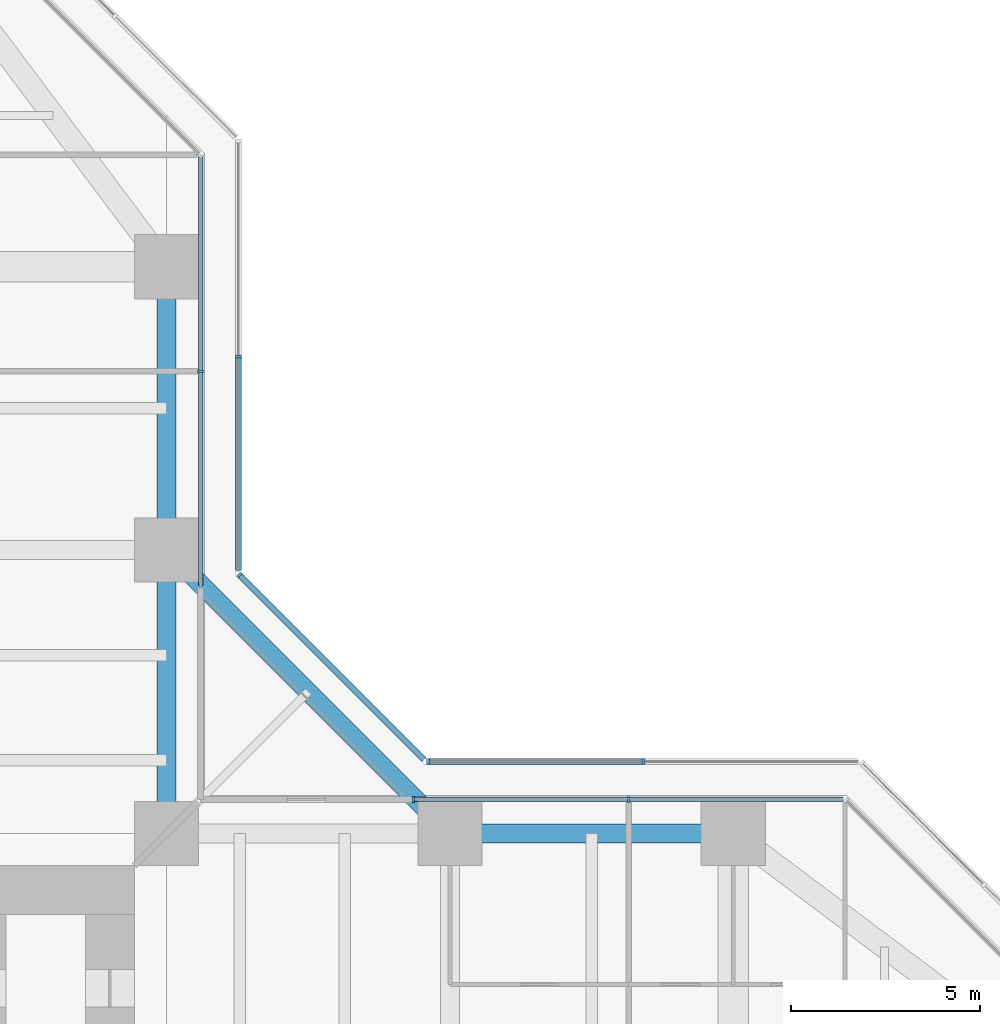
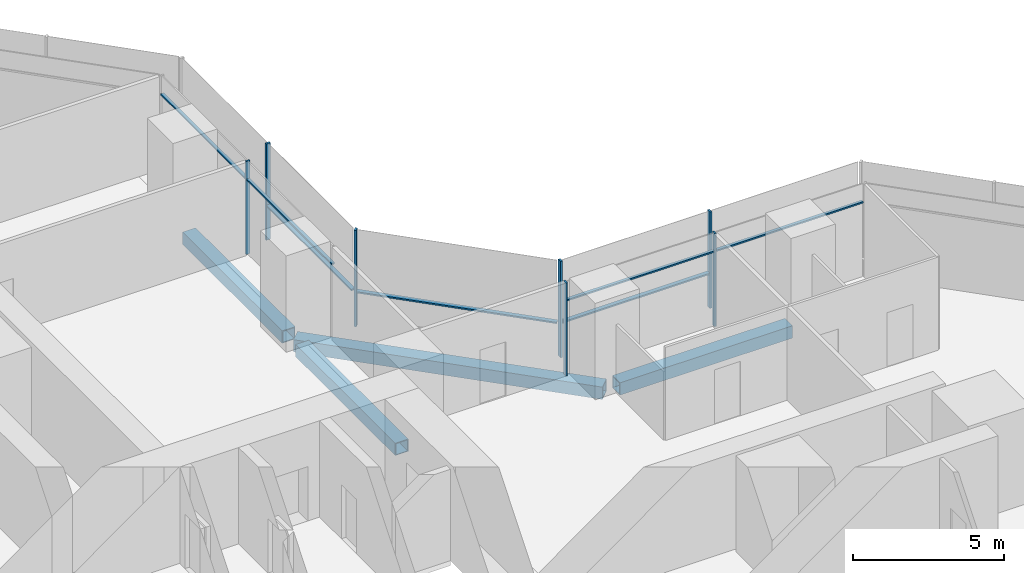
# One storey, part 11 of 22: 14 members, 4 beams, 5 elements without a shape of their own.
"""IFC4 building model written with IfcOpenShell, lengths in metres."""

import ifcopenshell
import ifcopenshell.guid

model = None  # the IFC model being written
_history = None  # IfcOwnerHistory: only IFC2X3 demands one
_inside = {}  # id of a spatial element -> (the spatial element, [elements in it])
_under = {}  # id of a project, library or spatial element -> (it, [spatial elements below it])
_declared = {}  # id of a project -> (the project, [libraries it declares])
_typed = {}  # id of a type object -> (the type object, [elements of that type])
_made_of = {}  # id of a material, layer set ... -> (it, [elements and type objects made of it])


def new_model(schema):
    """Start an empty IFC model of exactly this schema.

    Asked for "IFC4X3", IfcOpenShell would pick the latest addendum, in which some entities
    have other attributes; the version numbers below select the first issue.
    IFC2X3 requires an IfcOwnerHistory on every rooted entity: one is made here for all.
    """
    global model, _history
    if schema == "IFC4X3":
        model = ifcopenshell.file(schema_version=(4, 3, 0, 0))
    else:
        model = ifcopenshell.file(schema=schema)
    _inside.clear()
    _under.clear()
    _declared.clear()
    _typed.clear()
    _made_of.clear()
    _history = None
    if model.schema == "IFC2X3":
        org = make("IfcOrganization", Name="unknown")
        user = make(
            "IfcPersonAndOrganization",
            ThePerson=make("IfcPerson", FamilyName="unknown"),
            TheOrganization=org,
        )
        app = make(
            "IfcApplication",
            ApplicationDeveloper=org,
            Version="unknown",
            ApplicationFullName="unknown",
            ApplicationIdentifier="unknown",
        )
        _history = make(
            "IfcOwnerHistory",
            OwningUser=user,
            OwningApplication=app,
            ChangeAction="ADDED",
            CreationDate=0,
        )
    return model


def make(cls, **values):
    """One entity of the class cls with the attributes given. An attribute that is None is left unset."""
    return model.create_entity(
        cls, **{name: value for name, value in values.items() if value is not None}
    )


def rooted(cls, **values):
    """An entity with a GlobalId (a new one), such as an element, a storey or a relation."""
    return make(cls, GlobalId=ifcopenshell.guid.new(), OwnerHistory=_history, **values)


def si_unit(unit_type, name, prefix=None):
    """IfcSIUnit, for example si_unit("LENGTHUNIT", "METRE", prefix="MILLI")."""
    return make("IfcSIUnit", UnitType=unit_type, Prefix=prefix, Name=name)


def assignment(units):
    """IfcUnitAssignment: the units of a project."""
    return None if units is None else make("IfcUnitAssignment", Units=units)


def point(xyz):
    """IfcCartesianPoint."""
    return None if xyz is None else make("IfcCartesianPoint", Coordinates=xyz)


def direction(xyz):
    """IfcDirection."""
    return None if xyz is None else make("IfcDirection", DirectionRatios=xyz)


def frame(location, z_axis=None, x_axis=None):
    """IfcAxis2Placement3D, a coordinate frame: its origin and axes. An axis left out is left unset."""
    return make(
        "IfcAxis2Placement3D",
        Location=point(location),
        Axis=direction(z_axis),
        RefDirection=direction(x_axis),
    )


def frame_2d(location, x_axis=None):
    """IfcAxis2Placement2D, a coordinate frame in the plane: its origin and x axis."""
    return make(
        "IfcAxis2Placement2D", Location=point(location), RefDirection=direction(x_axis)
    )


def origin():
    """The frame at (0, 0, 0) with its axes left unset."""
    return frame((0.0, 0.0, 0.0))


def origin_2d():
    """The frame at (0, 0) in the plane with its x axis left unset."""
    return frame_2d((0.0, 0.0))


def place(relative_to, where):
    """IfcLocalPlacement: puts the frame where relative to a parent placement (None: the world)."""
    return make(
        "IfcLocalPlacement", PlacementRelTo=relative_to, RelativePlacement=where
    )


def context(
    kind, dimensions, precision=None, world=None, true_north=None, identifier=None
):
    """IfcGeometricRepresentationContext, for example the 3D "Model" context."""
    return make(
        "IfcGeometricRepresentationContext",
        ContextIdentifier=identifier,
        ContextType=kind,
        CoordinateSpaceDimension=dimensions,
        Precision=precision,
        WorldCoordinateSystem=world,
        TrueNorth=true_north,
    )


def subcontext(parent, identifier, kind, view, scale=None):
    """IfcGeometricRepresentationSubContext, for example "Body" below "Model"."""
    return make(
        "IfcGeometricRepresentationSubContext",
        ContextIdentifier=identifier,
        ContextType=kind,
        ParentContext=parent,
        TargetScale=scale,
        TargetView=view,
    )


def project(units=None, contexts=None):
    """IfcProject with its units and contexts."""
    return rooted(
        "IfcProject",
        Name="project",
        RepresentationContexts=contexts,
        UnitsInContext=assignment(units),
    )


def spatial(cls, under=None, at=None, **own):
    """A site, building, storey or space (cls), placed at a placement, below another one or the project."""
    s = rooted(cls, ObjectPlacement=at, **own)
    if under is not None:
        _under.setdefault(under.id(), (under, []))[1].append(s)
    return s


def profile(cls, at=None, kind="AREA", **sizes):
    """A parametric profile (cls). Its sizes go by their IFC names, for example OverallWidth=200.0."""
    return make(cls, ProfileType=kind, Position=at, **sizes)


def rectangle(**sizes):
    """IfcRectangleProfileDef."""
    return profile("IfcRectangleProfileDef", **sizes)


def hollow_rectangle(**sizes):
    """IfcRectangleHollowProfileDef."""
    return profile("IfcRectangleHollowProfileDef", **sizes)


def extrude(swept, where, along, depth):
    """IfcExtrudedAreaSolid: the profile swept, set in the frame where, extruded along a direction by depth."""
    return make(
        "IfcExtrudedAreaSolid",
        SweptArea=swept,
        Position=where,
        ExtrudedDirection=direction(along),
        Depth=depth,
    )


def shape(context_of_items, identifier, shape_type, items):
    """IfcShapeRepresentation: the items that make up one representation, for example the "Body"."""
    return make(
        "IfcShapeRepresentation",
        ContextOfItems=context_of_items,
        RepresentationIdentifier=identifier,
        RepresentationType=shape_type,
        Items=items,
    )


def material(Name=None, Category=None):
    """IfcMaterial."""
    return make("IfcMaterial", Name=Name, Category=Category)


def material_profile(
    of_material, cross_section, Name=None, Category=None, Priority=None
):
    """IfcMaterialProfile: a cross section and its material."""
    return make(
        "IfcMaterialProfile",
        Name=Name,
        Material=of_material,
        Profile=cross_section,
        Priority=Priority,
        Category=Category,
    )


def profile_set(profiles, Name=None, composite=None):
    """IfcMaterialProfileSet."""
    return make(
        "IfcMaterialProfileSet",
        Name=Name,
        MaterialProfiles=profiles,
        CompositeProfile=composite,
    )


def made_of(thing, what):
    """Note that an element or type object is made of a material, layer set ...; save() writes the relation."""
    if what is not None:
        _made_of.setdefault(what.id(), (what, []))[1].append(thing)
    return thing


def type_object(cls, material=None, **own):
    """A type object (cls), such as IfcWallType, which elements share."""
    return made_of(rooted(cls, **own), material)


def element(
    cls,
    number,
    at=None,
    inside=None,
    cuts=None,
    type_object=None,
    material=None,
    context=None,
    identifier="Body",
    shape_type=None,
    held_by="IfcProductDefinitionShape",
    body=None,
    shapes=None,
    **own,
):
    """One element of the class cls, such as IfcWall. Its Tag is "e" and its number.

    at: its placement. inside: the storey or other place that contains it. cuts: it is an
    opening in that element (IfcRelVoidsElement). A single representation is given by context,
    identifier, shape_type and body (its items); several are given by shapes. held_by: the class
    of the entity that holds the representations. save() writes the other relations.
    """
    e = rooted(cls, Tag="e%d" % number, ObjectPlacement=at, **own)
    if body is not None:
        shapes = [shape(context, identifier, shape_type, body)]
    if shapes is not None:
        e.Representation = make(held_by, Representations=shapes)
    if inside is not None:
        _inside.setdefault(inside.id(), (inside, []))[1].append(e)
    if cuts is not None:
        rooted(
            "IfcRelVoidsElement", RelatingBuildingElement=cuts, RelatedOpeningElement=e
        )
    if type_object is not None:
        _typed.setdefault(type_object.id(), (type_object, []))[1].append(e)
    return made_of(e, material)


def aggregate(whole, parts):
    """IfcRelAggregates: a whole, such as a stair, and the parts it consists of."""
    return rooted("IfcRelAggregates", RelatingObject=whole, RelatedObjects=parts)


def save(model, path):
    """Write the relations noted so far, then the file.

    IfcRelAggregates (storeys below a building ...), IfcRelContainedInSpatialStructure (elements
    in a storey), IfcRelDefinesByType, IfcRelAssociatesMaterial and IfcRelDeclares: one each for
    every whole, place, type object, material and project.
    """
    for whole, parts in _under.values():
        aggregate(whole, parts)
    for where, things in _inside.values():
        rooted(
            "IfcRelContainedInSpatialStructure",
            RelatedElements=things,
            RelatingStructure=where,
        )
    for kind, things in _typed.values():
        rooted("IfcRelDefinesByType", RelatedObjects=things, RelatingType=kind)
    for what, things in _made_of.values():
        rooted("IfcRelAssociatesMaterial", RelatedObjects=things, RelatingMaterial=what)
    for by, libraries in _declared.values():
        rooted("IfcRelDeclares", RelatingContext=by, RelatedDefinitions=libraries)
    model.write(path)


model = new_model("IFC4")

# Units and contexts
model_context = context("Model", 3, precision=1e-05, world=origin(), true_north=direction((0.0, 1.0)))
body_context = subcontext(model_context, "Body", "Model", "MODEL_VIEW")
ifc_project = project(units=[si_unit("LENGTHUNIT", "METRE"), si_unit("AREAUNIT", "SQUARE_METRE"), si_unit("VOLUMEUNIT", "CUBIC_METRE"), si_unit("PLANEANGLEUNIT", "RADIAN"), si_unit("MASSUNIT", "GRAM", prefix="KILO")], contexts=[model_context])

# Site, building, storey
site_placement = place(None, origin())
site = spatial("IfcSite", under=ifc_project, at=site_placement, CompositionType="ELEMENT")
building_placement = place(site_placement, origin())
building = spatial("IfcBuilding", under=site, at=building_placement, Name="Mizan Broadcast Tower", CompositionType="ELEMENT")
storey_placement = place(building_placement, frame((0.0, 0.0, 94.199951171875)))
storey = spatial("IfcBuildingStorey", under=building, at=storey_placement, Name="L20", CompositionType="ELEMENT", Elevation=94.199951171875)

# Beams
ifc_material_1 = material(Name="Steel S355", Category="steel")
ifc_material_profile_1 = material_profile(ifc_material_1, hollow_rectangle(XDim=0.5, YDim=0.5, WallThickness=0.030029296875, at=origin_2d()), Name="BOX 500x500x30")
ifc_profile_set_1 = profile_set([ifc_material_profile_1], Name="Steel S355")
beam_type = type_object("IfcBeamType", Name="EDGE BEAM BOX 500x500x30", PredefinedType="SPANDREL", material=ifc_profile_set_1)
for number, where, z_axis, x_axis, name in (
    (1, (19.949951171875, 12.0, -0.3798828125), (1.0, 0.0, 0.0), (0.0, 1.0, 0.0), "Edge beam BOX 500x500x30 L20 east arm"),
    (2, (12.0, 12.449951171875, -0.3798828125), (0.0, 1.0, 0.0), (-1.0, 0.0, 0.0), "Edge beam BOX 500x500x30 L20 north arm"),
    (3, (12.0, 19.949951171875, -0.3798828125), (0.0, 1.0, 0.0), (-1.0, 0.0, 0.0), "Edge beam BOX 500x500x30 L20 north arm"),
):
    element("IfcBeam", number, at=place(storey_placement, frame(where, z_axis=z_axis, x_axis=x_axis)), inside=storey, type_object=beam_type, Name=name, PredefinedType="SPANDREL", context=body_context, shape_type="SweptSolid", body=[
        extrude(hollow_rectangle(XDim=0.5, YDim=0.5, WallThickness=0.030029296875, at=origin_2d()), origin(), (0.0, 0.0, 1.0), 6.60009765625),
    ])
beam_placement = place(storey_placement, frame((19.5, 12.0, -0.3798828125), z_axis=(-0.707106781187, 0.707106781187, 0.0), x_axis=(-0.707106781187, -0.707106781187, 0.0)))
element("IfcBeam", 4, at=beam_placement, inside=storey, type_object=beam_type, Name="Winter garden edge beam L20 E", PredefinedType="SPANDREL", context=body_context, shape_type="SweptSolid", body=[
    extrude(hollow_rectangle(XDim=0.5, YDim=0.5, WallThickness=0.030029296875, at=origin_2d()), origin(), (0.0, 0.0, 1.0), 10.606689453125),
])

# Curtain wall, members
ifc_material_2 = material(Name="Aluminium framed glazing", Category="aluminium")
curtain_wall_type_1 = type_object("IfcCurtainWallType", Name="INNER SKIN LOW ZONE", PredefinedType="USERDEFINED", material=ifc_material_2)
curtain_wall_1_placement = place(storey_placement, origin())
curtain_wall_1 = element("IfcCurtainWall", 5, at=curtain_wall_1_placement, inside=storey, type_object=curtain_wall_type_1, Name="Inner skin low zone L20 E side", ObjectType="INNER SKIN LOW ZONE", PredefinedType="USERDEFINED")
ifc_material_3 = material(Name="Aluminium, pale anodised", Category="aluminium")
ifc_material_profile_2 = material_profile(ifc_material_3, rectangle(XDim=0.159912109375, YDim=0.06005859375, at=origin_2d()), Name="MULLION 160x60")
ifc_profile_set_2 = profile_set([ifc_material_profile_2], Name="Aluminium, pale anodised")
member_type_1 = type_object("IfcMemberType", Name="INNER SKIN MULLION 60x160", PredefinedType="MULLION", material=ifc_profile_set_2)
member_1_placement = place(storey_placement, frame((24.229248046875, 12.89990234375, 0.0), z_axis=(0.0, 0.0, 1.0), x_axis=(0.0, -1.0, 0.0)))
member_1 = element("IfcMember", 6, at=member_1_placement, type_object=member_type_1, Name="Inner skin low zone L20 E side mullion 2", PredefinedType="MULLION", context=body_context, shape_type="SweptSolid", body=[
    extrude(rectangle(XDim=0.159912109375, YDim=0.06005859375, at=origin_2d()), origin(), (0.0, 0.0, 1.0), 3.77001953125),
])
member_2_placement = place(storey_placement, frame((18.530029296875, 12.89990234375, 0.0), z_axis=(0.0, 0.0, 1.0), x_axis=(0.0, -1.0, 0.0)))
member_2 = element("IfcMember", 7, at=member_2_placement, type_object=member_type_1, Name="Inner skin low zone L20 E side mullion 3", PredefinedType="MULLION", context=body_context, shape_type="SweptSolid", body=[
    extrude(rectangle(XDim=0.159912109375, YDim=0.06005859375, at=origin_2d()), origin(), (0.0, 0.0, 1.0), 3.77001953125),
])

# Curtain wall, member
curtain_wall_2_placement = place(storey_placement, origin())
curtain_wall_2 = element("IfcCurtainWall", 8, at=curtain_wall_2_placement, inside=storey, type_object=curtain_wall_type_1, Name="Inner skin low zone L20 N side", ObjectType="INNER SKIN LOW ZONE", PredefinedType="USERDEFINED")
member_3_placement = place(storey_placement, frame((12.89990234375, 24.229248046875, 0.0), z_axis=(0.0, 0.0, 1.0), x_axis=(-1.0, 0.0, 0.0)))
member_3 = element("IfcMember", 9, at=member_3_placement, type_object=member_type_1, Name="Inner skin low zone L20 N side mullion 2", PredefinedType="MULLION", context=body_context, shape_type="SweptSolid", body=[
    extrude(rectangle(XDim=0.159912109375, YDim=0.06005859375, at=origin_2d()), origin(), (0.0, 0.0, 1.0), 3.77001953125),
])

# Member
ifc_material_4 = material(Name="Aluminium, pale anodised", Category="aluminium")
ifc_material_profile_3 = material_profile(ifc_material_4, rectangle(XDim=0.1201171875, YDim=0.06005859375, at=origin_2d()), Name="TRANSOM 120x60")
ifc_profile_set_3 = profile_set([ifc_material_profile_3], Name="Aluminium, pale anodised")
member_type_2 = type_object("IfcMemberType", Name="INNER SKIN TRANSOM 60x120", PredefinedType="USERDEFINED", material=ifc_profile_set_3)
member_4_placement = place(storey_placement, frame((29.898681640625, 12.89990234375, 3.030029296875), z_axis=(-1.0, 0.0, 0.0), x_axis=(0.0, -1.0, 0.0)))
member_4 = element("IfcMember", 10, at=member_4_placement, type_object=member_type_2, Name="Inner skin low zone L20 E side transom 1.1", ObjectType="TRANSOM", PredefinedType="USERDEFINED", context=body_context, shape_type="SweptSolid", body=[
    extrude(rectangle(XDim=0.1201171875, YDim=0.06005859375, at=origin_2d()), origin(), (0.0, 0.0, 1.0), 5.639404296875),
])

member_5_placement = place(storey_placement, frame((24.19921875, 12.89990234375, 3.030029296875), z_axis=(-1.0, 0.0, 0.0), x_axis=(0.0, -1.0, 0.0)))
member_5 = element("IfcMember", 11, at=member_5_placement, type_object=member_type_2, Name="Inner skin low zone L20 E side transom 2.1", ObjectType="TRANSOM", PredefinedType="USERDEFINED", context=body_context, shape_type="SweptSolid", body=[
    extrude(rectangle(XDim=0.1201171875, YDim=0.06005859375, at=origin_2d()), origin(), (0.0, 0.0, 1.0), 5.63916015625),
])

aggregate(curtain_wall_1, [member_1, member_2, member_4, member_5])

member_6_placement = place(storey_placement, frame((12.89990234375, 18.56005859375, 3.030029296875), z_axis=(0.0, 1.0, 0.0), x_axis=(-1.0, 0.0, 0.0)))
member_6 = element("IfcMember", 12, at=member_6_placement, type_object=member_type_2, Name="Inner skin low zone L20 N side transom 1.1", ObjectType="TRANSOM", PredefinedType="USERDEFINED", context=body_context, shape_type="SweptSolid", body=[
    extrude(rectangle(XDim=0.1201171875, YDim=0.06005859375, at=origin_2d()), origin(), (0.0, 0.0, 1.0), 5.63916015625),
])

member_7_placement = place(storey_placement, frame((12.89990234375, 24.25927734375, 3.030029296875), z_axis=(0.0, 1.0, 0.0), x_axis=(-1.0, 0.0, 0.0)))
member_7 = element("IfcMember", 13, at=member_7_placement, type_object=member_type_2, Name="Inner skin low zone L20 N side transom 2.1", ObjectType="TRANSOM", PredefinedType="USERDEFINED", context=body_context, shape_type="SweptSolid", body=[
    extrude(rectangle(XDim=0.1201171875, YDim=0.06005859375, at=origin_2d()), origin(), (0.0, 0.0, 1.0), 5.639404296875),
])

aggregate(curtain_wall_2, [member_3, member_6, member_7])

# Curtain wall, members
ifc_material_5 = material(Name="Aluminium framed glazing", Category="aluminium")
curtain_wall_type_2 = type_object("IfcCurtainWallType", Name="OUTER SKIN", PredefinedType="USERDEFINED", material=ifc_material_5)
curtain_wall_3_placement = place(storey_placement, origin())
curtain_wall_3 = element("IfcCurtainWall", 14, at=curtain_wall_3_placement, inside=storey, type_object=curtain_wall_type_2, Name="Outer skin L20 E side", ObjectType="OUTER SKIN", PredefinedType="USERDEFINED")
ifc_material_6 = material(Name="Aluminium, pale anodised", Category="aluminium")
ifc_material_profile_4 = material_profile(ifc_material_6, rectangle(XDim=0.159912109375, YDim=0.080078125, at=origin_2d()), Name="MULLION 160x80")
ifc_profile_set_4 = profile_set([ifc_material_profile_4], Name="Aluminium, pale anodised")
member_type_3 = type_object("IfcMemberType", Name="OUTER SKIN MULLION 80x160", PredefinedType="MULLION", material=ifc_profile_set_4)
member_8_placement = place(storey_placement, frame((24.622802734375, 13.89990234375, 0.0), z_axis=(0.0, 0.0, 1.0), x_axis=(0.0, -1.0, 0.0)))
member_8 = element("IfcMember", 15, at=member_8_placement, type_object=member_type_3, Name="Outer skin L20 E side mullion 2", PredefinedType="MULLION", context=body_context, shape_type="SweptSolid", body=[
    extrude(rectangle(XDim=0.159912109375, YDim=0.080078125, at=origin_2d()), origin(), (0.0, 0.0, 1.0), 3.900146484375),
])
member_9_placement = place(storey_placement, frame((18.912841796875, 13.89990234375, 0.0), z_axis=(0.0, 0.0, 1.0), x_axis=(0.0, -1.0, 0.0)))
member_9 = element("IfcMember", 16, at=member_9_placement, type_object=member_type_3, Name="Outer skin L20 E side mullion 3", PredefinedType="MULLION", context=body_context, shape_type="SweptSolid", body=[
    extrude(rectangle(XDim=0.159912109375, YDim=0.080078125, at=origin_2d()), origin(), (0.0, 0.0, 1.0), 3.900146484375),
])

# Curtain wall, member
curtain_wall_4_placement = place(storey_placement, origin())
curtain_wall_4 = element("IfcCurtainWall", 17, at=curtain_wall_4_placement, inside=storey, type_object=curtain_wall_type_2, Name="Outer skin L20 E chamfer", ObjectType="OUTER SKIN", PredefinedType="USERDEFINED")
member_10_placement = place(storey_placement, frame((13.92822265625, 18.844482421875, 0.0), z_axis=(0.0, 0.0, 1.0), x_axis=(-0.707106781187, -0.707106781187, 0.0)))
member_10 = element("IfcMember", 18, at=member_10_placement, type_object=member_type_3, Name="Outer skin L20 E chamfer mullion 2", PredefinedType="MULLION", context=body_context, shape_type="SweptSolid", body=[
    extrude(rectangle(XDim=0.159912109375, YDim=0.080078125, at=origin_2d()), origin(), (0.0, 0.0, 1.0), 3.900146484375),
])

curtain_wall_5_placement = place(storey_placement, origin())
curtain_wall_5 = element("IfcCurtainWall", 19, at=curtain_wall_5_placement, inside=storey, type_object=curtain_wall_type_2, Name="Outer skin L20 N side", ObjectType="OUTER SKIN", PredefinedType="USERDEFINED")
member_11_placement = place(storey_placement, frame((13.89990234375, 24.622802734375, 0.0), z_axis=(0.0, 0.0, 1.0), x_axis=(-1.0, 0.0, 0.0)))
member_11 = element("IfcMember", 20, at=member_11_placement, type_object=member_type_3, Name="Outer skin L20 N side mullion 2", PredefinedType="MULLION", context=body_context, shape_type="SweptSolid", body=[
    extrude(rectangle(XDim=0.159912109375, YDim=0.080078125, at=origin_2d()), origin(), (0.0, 0.0, 1.0), 3.900146484375),
])

# Member
ifc_material_7 = material(Name="Aluminium, pale anodised", Category="aluminium")
ifc_material_profile_5 = material_profile(ifc_material_7, rectangle(XDim=0.159912109375, YDim=0.06005859375, at=origin_2d()), Name="TRANSOM 160x60")
ifc_profile_set_5 = profile_set([ifc_material_profile_5], Name="Aluminium, pale anodised")
member_type_4 = type_object("IfcMemberType", Name="OUTER SKIN TRANSOM 60x160", PredefinedType="USERDEFINED", material=ifc_profile_set_5)
member_12_placement = place(storey_placement, frame((24.582763671875, 13.89990234375, 1.400146484375), z_axis=(-1.0, 0.0, 0.0), x_axis=(0.0, -1.0, 0.0)))
member_12 = element("IfcMember", 21, at=member_12_placement, type_object=member_type_4, Name="Outer skin L20 E side transom 2.1", ObjectType="TRANSOM", PredefinedType="USERDEFINED", context=body_context, shape_type="SweptSolid", body=[
    extrude(rectangle(XDim=0.159912109375, YDim=0.06005859375, at=origin_2d()), origin(), (0.0, 0.0, 1.0), 5.6298828125),
])

aggregate(curtain_wall_3, [member_8, member_9, member_12])

member_13_placement = place(storey_placement, frame((18.816162109375, 13.95654296875, 1.400146484375), z_axis=(-0.707106781187, 0.707106781187, 0.0), x_axis=(-0.707106781187, -0.707106781187, 0.0)))
member_13 = element("IfcMember", 22, at=member_13_placement, type_object=member_type_4, Name="Outer skin L20 E chamfer transom 1.1", ObjectType="TRANSOM", PredefinedType="USERDEFINED", context=body_context, shape_type="SweptSolid", body=[
    extrude(rectangle(XDim=0.159912109375, YDim=0.06005859375, at=origin_2d()), origin(), (0.0, 0.0, 1.0), 6.87255859375),
])

aggregate(curtain_wall_4, [member_10, member_13])

member_14_placement = place(storey_placement, frame((13.89990234375, 18.952880859375, 1.400146484375), z_axis=(0.0, 1.0, 0.0), x_axis=(-1.0, 0.0, 0.0)))
member_14 = element("IfcMember", 23, at=member_14_placement, type_object=member_type_4, Name="Outer skin L20 N side transom 1.1", ObjectType="TRANSOM", PredefinedType="USERDEFINED", context=body_context, shape_type="SweptSolid", body=[
    extrude(rectangle(XDim=0.159912109375, YDim=0.06005859375, at=origin_2d()), origin(), (0.0, 0.0, 1.0), 5.6298828125),
])

aggregate(curtain_wall_5, [member_11, member_14])

save(model, "model.ifc")
